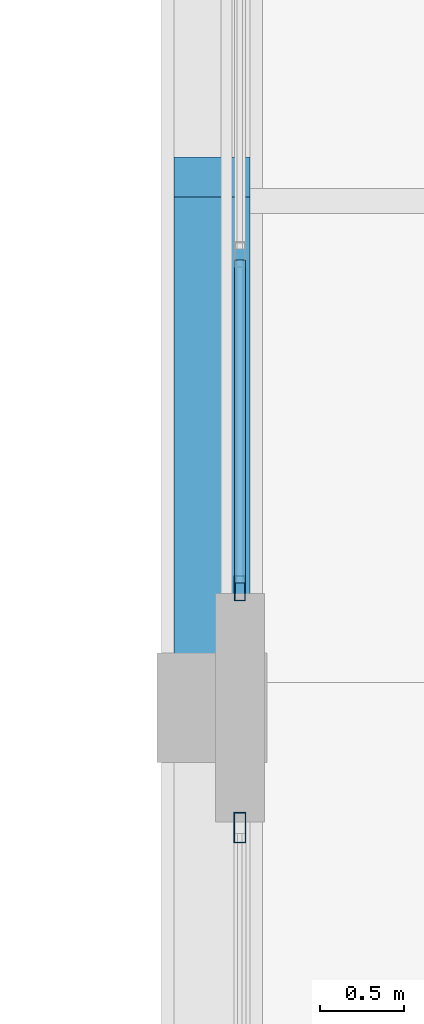
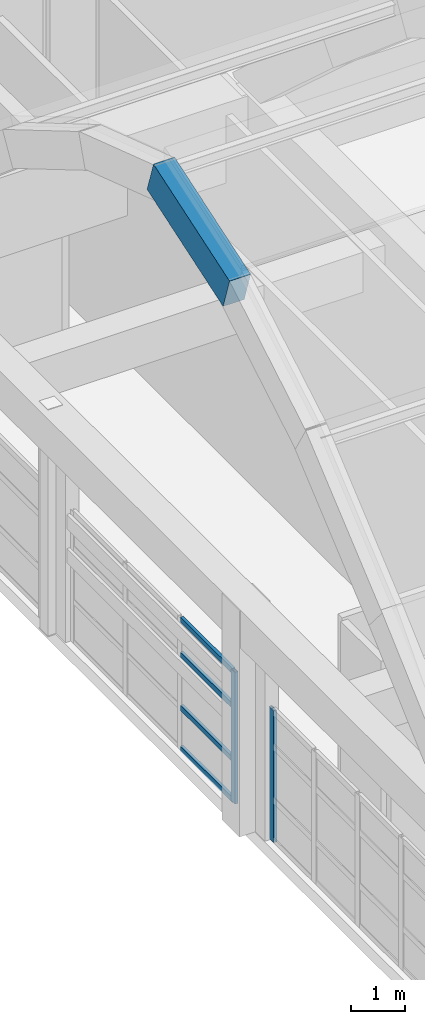
# One storey, part 31 of 103: 6 members, 1 beam, 2 elements without a shape of their own.
"""IFC4 building model written with IfcOpenShell, lengths in metres."""

from ifc_helpers import new_model, si_unit, direction, frame, origin, origin_2d, place, context, subcontext, project, spatial, rectangle, hollow_rectangle, extrude, material, layer, layer_set, material_profile, profile_set, type_object, element, aggregate, save


model = new_model("IFC4")

# Units and contexts
model_context = context("Model", 3, precision=1e-05, world=origin(), true_north=direction((0.0, 1.0)))
body_context = subcontext(model_context, "Body", "Model", "MODEL_VIEW")
ifc_project = project(units=[si_unit("LENGTHUNIT", "METRE"), si_unit("AREAUNIT", "SQUARE_METRE"), si_unit("VOLUMEUNIT", "CUBIC_METRE"), si_unit("PLANEANGLEUNIT", "RADIAN"), si_unit("MASSUNIT", "GRAM", prefix="KILO")], contexts=[model_context])

# Site, building, storey
site_placement = place(None, origin())
site = spatial("IfcSite", under=ifc_project, at=site_placement, CompositionType="ELEMENT")
building_placement = place(site_placement, origin())
building = spatial("IfcBuilding", under=site, at=building_placement, Name="Quendrovan Civic Courthouse", CompositionType="ELEMENT")
storey_placement = place(building_placement, frame((0.0, 0.0, 15.300048828125)))
storey = spatial("IfcBuildingStorey", under=building, at=storey_placement, Name="L04", CompositionType="ELEMENT", Elevation=15.300048828125)

# Beam
ifc_material_1 = material(Name="Concrete C40/50", Category="concrete")
ifc_material_profile_1 = material_profile(ifc_material_1, rectangle(XDim=0.449951171875, YDim=0.75, at=origin_2d()), Name="RC-VRIB-450x750")
ifc_profile_set_1 = profile_set([ifc_material_profile_1], Name="Concrete C40/50")
beam_type = type_object("IfcBeamType", Name="BM-VRIB750", PredefinedType="BEAM", material=ifc_profile_set_1)
beam_placement = place(storey_placement, frame((33.60009765625, 73.531494140625, 11.811279296875), z_axis=(0.0, 0.948848042791, 0.315733101989), x_axis=(-1.0, 0.0, 0.0)))
element("IfcBeam", 1, at=beam_placement, inside=storey, type_object=beam_type, Name="BV2 Concrete Vault Arch Rib A1-C4", PredefinedType="BEAM", context=body_context, shape_type="SweptSolid", body=[
    extrude(rectangle(XDim=0.449951171875, YDim=0.75, at=origin_2d()), origin(), (0.0, 0.0, 1.0), 2.96142578125),
])

# Curtain wall, member
ifc_material_2 = material(Name="Bronze anodised aluminium and low-E glass", Category="aluminium")
ifc_layer_1 = layer(ifc_material_2, 0.179931640625, Name="Bronze anodised aluminium and low-E glass")
ifc_layer_set_1 = layer_set([ifc_layer_1], Name="Bronze anodised aluminium and low-E glass")
curtain_wall_type_1 = type_object("IfcCurtainWallType", Name="CW-U64x30", PredefinedType="USERDEFINED", material=ifc_layer_set_1)
curtain_wall_1_placement = place(storey_placement, origin())
curtain_wall_1 = element("IfcCurtainWall", 2, at=curtain_wall_1_placement, inside=storey, type_object=curtain_wall_type_1, Name="L04 Unitised Hurricane Curtain Wall CW-164", ObjectType="UNITISED CURTAIN WALL", PredefinedType="USERDEFINED")
ifc_material_3 = material(Name="Bronze anodised aluminium", Category="aluminium")
ifc_material_profile_2 = material_profile(ifc_material_3, hollow_rectangle(XDim=0.070068359375, YDim=0.179931640625, WallThickness=0.00390625, at=origin_2d()), Name="CW-MULL-70x180")
ifc_profile_set_2 = profile_set([ifc_material_profile_2], Name="Bronze anodised aluminium")
member_type_1 = type_object("IfcMemberType", Name="CW-MULL-A", PredefinedType="MULLION", material=ifc_profile_set_2)
member_1_placement = place(storey_placement, frame((33.764892578125, 72.489990234375, 0.0), z_axis=(0.0, 0.0, 1.0), x_axis=(-1.0, 0.0, 0.0)))
member_1 = element("IfcMember", 3, at=member_1_placement, type_object=member_type_1, Name="CW-164 mullion 5", PredefinedType="MULLION", context=body_context, shape_type="SweptSolid", body=[
    extrude(hollow_rectangle(XDim=0.070068359375, YDim=0.179931640625, WallThickness=0.00390625, at=origin_2d()), origin(), (0.0, 0.0, 1.0), 2.969970703125),
])
aggregate(curtain_wall_1, [member_1])

# Curtain wall, members
ifc_layer_2 = layer(ifc_material_2, 0.179931640625, Name="Bronze anodised aluminium and low-E glass")
ifc_layer_set_2 = layer_set([ifc_layer_2], Name="Bronze anodised aluminium and low-E glass")
curtain_wall_type_2 = type_object("IfcCurtainWallType", Name="CW-U60x30", PredefinedType="USERDEFINED", material=ifc_layer_set_2)
curtain_wall_2_placement = place(storey_placement, origin())
curtain_wall_2 = element("IfcCurtainWall", 4, at=curtain_wall_2_placement, inside=storey, type_object=curtain_wall_type_2, Name="L04 Unitised Hurricane Curtain Wall CW-165", ObjectType="UNITISED CURTAIN WALL", PredefinedType="USERDEFINED")
ifc_material_profile_3 = material_profile(ifc_material_3, hollow_rectangle(XDim=0.06494140625, YDim=0.14990234375, WallThickness=0.00390625, at=origin_2d()), Name="CW-MULL-65x150")
ifc_profile_set_3 = profile_set([ifc_material_profile_3], Name="Bronze anodised aluminium")
member_type_2 = type_object("IfcMemberType", Name="CW-MULL-B", PredefinedType="MULLION", material=ifc_profile_set_3)
member_2_placement = place(storey_placement, frame((33.764892578125, 73.907470703125, 0.0), z_axis=(0.0, 0.0, 1.0), x_axis=(-1.0, 0.0, 0.0)))
member_2 = element("IfcMember", 5, at=member_2_placement, type_object=member_type_2, Name="CW-165 mullion 1", PredefinedType="MULLION", context=body_context, shape_type="SweptSolid", body=[
    extrude(hollow_rectangle(XDim=0.06494140625, YDim=0.14990234375, WallThickness=0.00390625, at=origin_2d()), origin(), (0.0, 0.0, 1.0), 2.969970703125),
])
ifc_material_profile_4 = material_profile(ifc_material_3, hollow_rectangle(XDim=0.06494140625, YDim=0.114990234375, WallThickness=0.00390625, at=origin_2d()), Name="CW-TRAN-65x115")
ifc_profile_set_4 = profile_set([ifc_material_profile_4], Name="Bronze anodised aluminium")
member_type_3 = type_object("IfcMemberType", Name="CW-TRAN-B", PredefinedType="USERDEFINED", material=ifc_profile_set_4)
member_3_placement = place(storey_placement, frame((33.764892578125, 73.93994140625, 0.032470703125), z_axis=(0.0, 1.0, 0.0), x_axis=(-1.0, 0.0, 0.0)))
member_3 = element("IfcMember", 6, at=member_3_placement, type_object=member_type_3, Name="CW-165 transom 1.1", ObjectType="TRANSOM", PredefinedType="USERDEFINED", context=body_context, shape_type="SweptSolid", body=[
    extrude(hollow_rectangle(XDim=0.06494140625, YDim=0.114990234375, WallThickness=0.00390625, at=origin_2d()), origin(), (0.0, 0.0, 1.0), 1.910888671875),
])
member_4_placement = place(storey_placement, frame((33.764892578125, 73.93994140625, 0.949951171875), z_axis=(0.0, 1.0, 0.0), x_axis=(-1.0, 0.0, 0.0)))
member_4 = element("IfcMember", 7, at=member_4_placement, type_object=member_type_3, Name="CW-165 transom 1.2", ObjectType="TRANSOM", PredefinedType="USERDEFINED", context=body_context, shape_type="SweptSolid", body=[
    extrude(hollow_rectangle(XDim=0.06494140625, YDim=0.114990234375, WallThickness=0.00390625, at=origin_2d()), origin(), (0.0, 0.0, 1.0), 1.910888671875),
])
member_5_placement = place(storey_placement, frame((33.764892578125, 73.93994140625, 2.14990234375), z_axis=(0.0, 1.0, 0.0), x_axis=(-1.0, 0.0, 0.0)))
member_5 = element("IfcMember", 8, at=member_5_placement, type_object=member_type_3, Name="CW-165 transom 1.3", ObjectType="TRANSOM", PredefinedType="USERDEFINED", context=body_context, shape_type="SweptSolid", body=[
    extrude(hollow_rectangle(XDim=0.06494140625, YDim=0.114990234375, WallThickness=0.00390625, at=origin_2d()), origin(), (0.0, 0.0, 1.0), 1.910888671875),
])
member_6_placement = place(storey_placement, frame((33.764892578125, 73.93994140625, 2.9375), z_axis=(0.0, 1.0, 0.0), x_axis=(-1.0, 0.0, 0.0)))
member_6 = element("IfcMember", 9, at=member_6_placement, type_object=member_type_3, Name="CW-165 transom 1.4", ObjectType="TRANSOM", PredefinedType="USERDEFINED", context=body_context, shape_type="SweptSolid", body=[
    extrude(hollow_rectangle(XDim=0.06494140625, YDim=0.114990234375, WallThickness=0.00390625, at=origin_2d()), origin(), (0.0, 0.0, 1.0), 1.910888671875),
])
aggregate(curtain_wall_2, [member_2, member_3, member_4, member_5, member_6])

save(model, "model.ifc")
